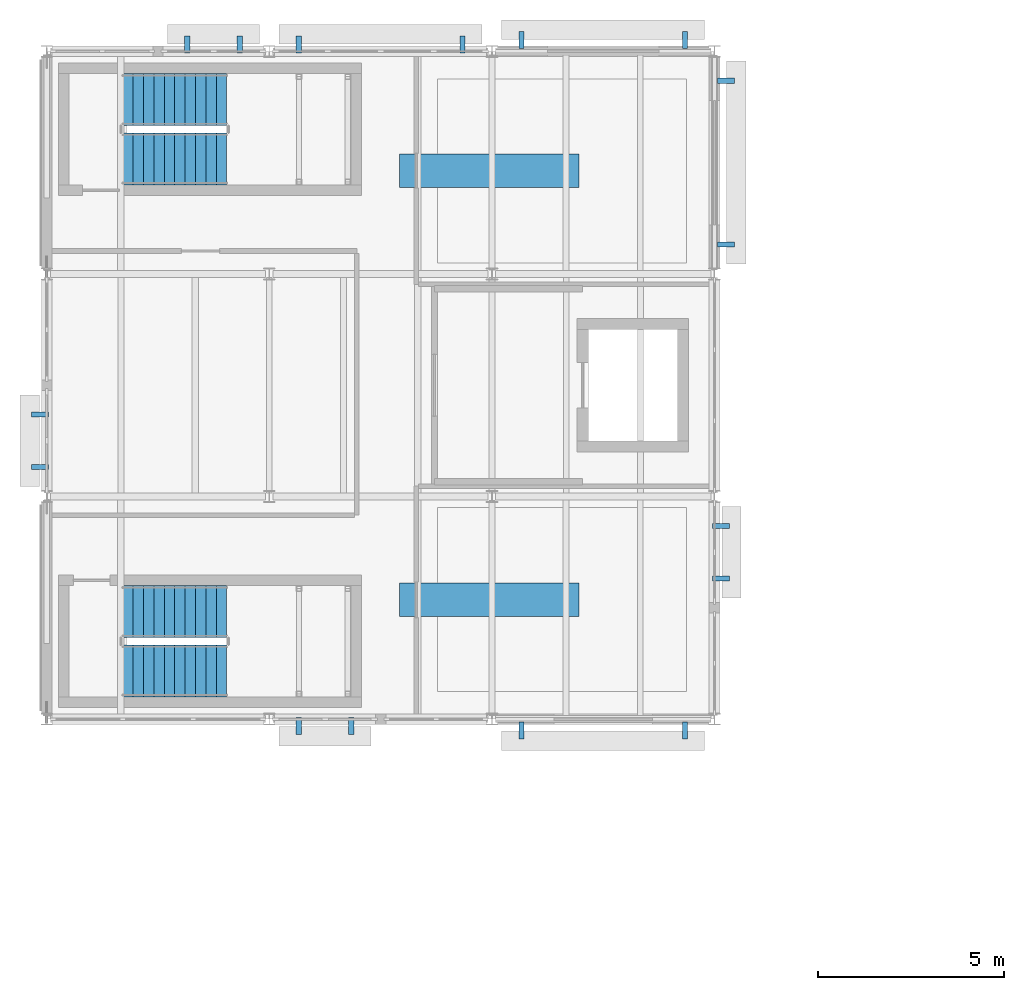
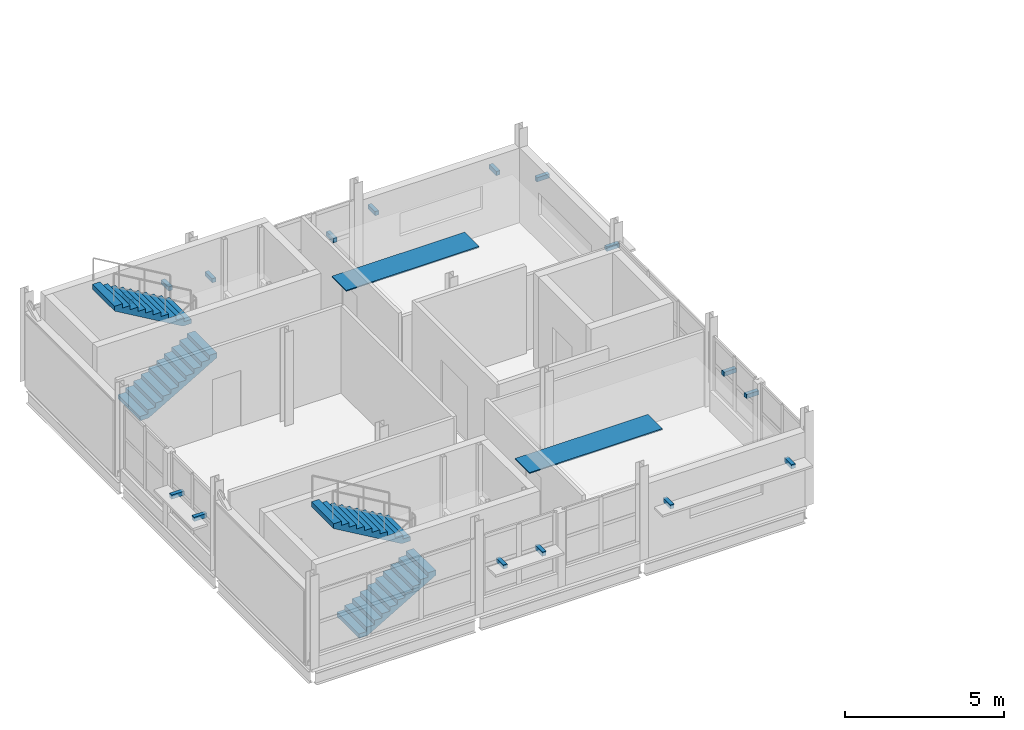
# One storey, part 18 of 20: 18 discrete accessories, 4 stair flights, 2 elements without a shape of their own.
"""IFC4 building model written with IfcOpenShell, lengths in metres."""

from ifc_helpers import new_model, si_unit, direction, frame, origin, origin_2d, place, context, subcontext, project, spatial, polyline, rectangle, outline, extrude, material, type_object, element, aggregate, save


model = new_model("IFC4")

# Units and contexts
model_context = context("Model", 3, precision=1e-05, world=origin(), true_north=direction((0.0, 1.0)))
body_context = subcontext(model_context, "Body", "Model", "MODEL_VIEW")
ifc_project = project(units=[si_unit("LENGTHUNIT", "METRE"), si_unit("AREAUNIT", "SQUARE_METRE"), si_unit("VOLUMEUNIT", "CUBIC_METRE"), si_unit("PLANEANGLEUNIT", "RADIAN"), si_unit("MASSUNIT", "GRAM", prefix="KILO")], contexts=[model_context])

# Site, building, storey
site_placement = place(None, origin())
site = spatial("IfcSite", under=ifc_project, at=site_placement, CompositionType="ELEMENT")
building_placement = place(site_placement, origin())
building = spatial("IfcBuilding", under=site, at=building_placement, Name="Siltcreek Boulevard Central Fire Station", CompositionType="ELEMENT")
storey_placement = place(building_placement, frame((0.0, 0.0, 18.0)))
storey = spatial("IfcBuildingStorey", under=building, at=storey_placement, Name="L05", CompositionType="ELEMENT", Elevation=18.0)

# Stair, stair flights
ifc_material_1 = material(Name="Precast concrete C40/50", Category="concrete")
stair_type = type_object("IfcStairType", Name="ST_DOG_H36", PredefinedType="HALF_TURN_STAIR", material=ifc_material_1)
stair_1_placement = place(storey_placement, origin())
stair_1 = element("IfcStair", 1, at=stair_1_placement, inside=storey, type_object=stair_type, Name="L05 Enclosed exit stairway ST-V3A", PredefinedType="HALF_TURN_STAIR")
stair_flight_type = type_object("IfcStairFlightType", Name="SF_DOG_H36", PredefinedType="STRAIGHT", material=ifc_material_1)
stair_flight_1_placement = place(storey_placement, frame((44.050048828125, 95.5, 0.0), z_axis=(0.0, 0.0, 1.0), x_axis=(1.0, 0.0, 0.0)))
stair_flight_1 = element("IfcStairFlight", 2, at=stair_flight_1_placement, type_object=stair_flight_type, Name="ST-V3A flight 1", NumberOfRisers=11, NumberOfTreads=10, PredefinedType="STRAIGHT", RiserHeight=0.163636364, TreadLength=0.28, context=body_context, shape_type="SweptSolid", body=[
    extrude(outline(polyline([(0.0, 0.0), (0.0, 0.16357421875), (0.280029296875, 0.16357421875), (0.280029296875, 0.327392578125), (0.56005859375, 0.327392578125), (0.56005859375, 0.490966796875), (0.840087890625, 0.490966796875), (0.840087890625, 0.654541015625), (1.1201171875, 0.654541015625), (1.1201171875, 0.818115234375), (1.39990234375, 0.818115234375), (1.39990234375, 0.98193359375), (1.679931640625, 0.98193359375), (1.679931640625, 1.1455078125), (1.9599609375, 1.1455078125), (1.9599609375, 1.30908203125), (2.239990234375, 1.30908203125), (2.239990234375, 1.47265625), (2.52001953125, 1.47265625), (2.52001953125, 1.636474609375), (2.800048828125, 1.636474609375), (2.800048828125, 1.800048828125), (2.800048828125, 1.451171875), (0.31689453125, 0.0), (0.0, 0.0)])), frame((0.0, 0.699951171875, 0.0), z_axis=(0.0, -1.0, 0.0), x_axis=(1.0, 0.0, 0.0)), (0.0, 0.0, 1.0), 1.39990234375),
])
stair_flight_2_placement = place(storey_placement, frame((46.85009765625, 97.10009765625, 1.800048828125), z_axis=(0.0, 0.0, 1.0), x_axis=(-1.0, 0.0, 0.0)))
stair_flight_2 = element("IfcStairFlight", 3, at=stair_flight_2_placement, type_object=stair_flight_type, Name="ST-V3A flight 2", NumberOfRisers=11, NumberOfTreads=10, PredefinedType="STRAIGHT", RiserHeight=0.163636364, TreadLength=0.28, context=body_context, shape_type="SweptSolid", body=[
    extrude(outline(polyline([(0.0, 0.0), (0.0, 0.16357421875), (0.280029296875, 0.16357421875), (0.280029296875, 0.327392578125), (0.56005859375, 0.327392578125), (0.56005859375, 0.490966796875), (0.840087890625, 0.490966796875), (0.840087890625, 0.654541015625), (1.1201171875, 0.654541015625), (1.1201171875, 0.818115234375), (1.39990234375, 0.818115234375), (1.39990234375, 0.98193359375), (1.679931640625, 0.98193359375), (1.679931640625, 1.1455078125), (1.9599609375, 1.1455078125), (1.9599609375, 1.30908203125), (2.239990234375, 1.30908203125), (2.239990234375, 1.47265625), (2.52001953125, 1.47265625), (2.52001953125, 1.636474609375), (2.800048828125, 1.636474609375), (2.800048828125, 1.800048828125), (2.800048828125, 1.451171875), (0.31689453125, 0.0), (0.0, 0.0)])), frame((0.0, 0.699951171875, 0.0), z_axis=(0.0, -1.0, 0.0), x_axis=(1.0, 0.0, 0.0)), (0.0, 0.0, 1.0), 1.39990234375),
])
aggregate(stair_1, [stair_flight_1, stair_flight_2])

stair_2_placement = place(storey_placement, origin())
stair_2 = element("IfcStair", 4, at=stair_2_placement, inside=storey, type_object=stair_type, Name="L05 Enclosed exit stairway ST-V3B", PredefinedType="HALF_TURN_STAIR")
stair_flight_3_placement = place(storey_placement, frame((44.050048828125, 109.300048828125, 0.0), z_axis=(0.0, 0.0, 1.0), x_axis=(1.0, 0.0, 0.0)))
stair_flight_3 = element("IfcStairFlight", 5, at=stair_flight_3_placement, type_object=stair_flight_type, Name="ST-V3B flight 1", NumberOfRisers=11, NumberOfTreads=10, PredefinedType="STRAIGHT", RiserHeight=0.163636364, TreadLength=0.28, context=body_context, shape_type="SweptSolid", body=[
    extrude(outline(polyline([(0.0, 0.0), (0.0, 0.16357421875), (0.280029296875, 0.16357421875), (0.280029296875, 0.327392578125), (0.56005859375, 0.327392578125), (0.56005859375, 0.490966796875), (0.840087890625, 0.490966796875), (0.840087890625, 0.654541015625), (1.1201171875, 0.654541015625), (1.1201171875, 0.818115234375), (1.39990234375, 0.818115234375), (1.39990234375, 0.98193359375), (1.679931640625, 0.98193359375), (1.679931640625, 1.1455078125), (1.9599609375, 1.1455078125), (1.9599609375, 1.30908203125), (2.239990234375, 1.30908203125), (2.239990234375, 1.47265625), (2.52001953125, 1.47265625), (2.52001953125, 1.636474609375), (2.800048828125, 1.636474609375), (2.800048828125, 1.800048828125), (2.800048828125, 1.451171875), (0.31689453125, 0.0), (0.0, 0.0)])), frame((0.0, 0.699951171875, 0.0), z_axis=(0.0, -1.0, 0.0), x_axis=(1.0, 0.0, 0.0)), (0.0, 0.0, 1.0), 1.39990234375),
])
stair_flight_4_placement = place(storey_placement, frame((46.85009765625, 110.89990234375, 1.800048828125), z_axis=(0.0, 0.0, 1.0), x_axis=(-1.0, 0.0, 0.0)))
stair_flight_4 = element("IfcStairFlight", 6, at=stair_flight_4_placement, type_object=stair_flight_type, Name="ST-V3B flight 2", NumberOfRisers=11, NumberOfTreads=10, PredefinedType="STRAIGHT", RiserHeight=0.163636364, TreadLength=0.28, context=body_context, shape_type="SweptSolid", body=[
    extrude(outline(polyline([(0.0, 0.0), (0.0, 0.16357421875), (0.280029296875, 0.16357421875), (0.280029296875, 0.327392578125), (0.56005859375, 0.327392578125), (0.56005859375, 0.490966796875), (0.840087890625, 0.490966796875), (0.840087890625, 0.654541015625), (1.1201171875, 0.654541015625), (1.1201171875, 0.818115234375), (1.39990234375, 0.818115234375), (1.39990234375, 0.98193359375), (1.679931640625, 0.98193359375), (1.679931640625, 1.1455078125), (1.9599609375, 1.1455078125), (1.9599609375, 1.30908203125), (2.239990234375, 1.30908203125), (2.239990234375, 1.47265625), (2.52001953125, 1.47265625), (2.52001953125, 1.636474609375), (2.800048828125, 1.636474609375), (2.800048828125, 1.800048828125), (2.800048828125, 1.451171875), (0.31689453125, 0.0), (0.0, 0.0)])), frame((0.0, 0.699951171875, 0.0), z_axis=(0.0, -1.0, 0.0), x_axis=(1.0, 0.0, 0.0)), (0.0, 0.0, 1.0), 1.39990234375),
])
aggregate(stair_2, [stair_flight_3, stair_flight_4])

# Discrete accessories
ifc_material_2 = material(Name="Hot-dip galvanized steel facade outrigger bracket", Category="steel")
discrete_accessory_type = type_object("IfcDiscreteAccessoryType", Name="ACC_BRACKET", PredefinedType="BRACKET", material=ifc_material_2)
for number, where, z_axis, x_axis, name in (
    (7, (48.794921875, 94.02001953125, 1.634765625), (0.0, 0.0, 1.0), (1.0, 0.0, 0.0), "Galvanized sunshade support bracket BK-097"),
    (8, (50.2099609375, 94.02001953125, 1.634765625), (0.0, 0.0, 1.0), (1.0, 0.0, 0.0), "Galvanized sunshade support bracket BK-098"),
    (9, (54.794921875, 93.89501953125, 1.919921875), (0.0, 0.0, 1.0), (1.0, 0.0, 0.0), "Galvanized sunshade support bracket BK-099"),
    (10, (59.205078125, 93.89501953125, 1.919921875), (0.0, 0.0, 1.0), (1.0, 0.0, 0.0), "Galvanized sunshade support bracket BK-100"),
    (11, (47.205078125, 112.3798828125, 1.75439453125), (0.0, 0.0, 1.0), (-1.0, 0.0, 0.0), "Galvanized sunshade support bracket BK-101"),
    (12, (45.7900390625, 112.3798828125, 1.75439453125), (0.0, 0.0, 1.0), (-1.0, 0.0, 0.0), "Galvanized sunshade support bracket BK-102"),
    (13, (53.205078125, 112.3798828125, 1.5146484375), (0.0, 0.0, 1.0), (-1.0, 0.0, 0.0), "Galvanized sunshade support bracket BK-103"),
    (14, (48.794921875, 112.3798828125, 1.5146484375), (0.0, 0.0, 1.0), (-1.0, 0.0, 0.0), "Galvanized sunshade support bracket BK-104"),
    (15, (59.205078125, 112.5048828125, 1.919921875), (0.0, 0.0, 1.0), (-1.0, 0.0, 0.0), "Galvanized sunshade support bracket BK-105"),
    (16, (54.794921875, 112.5048828125, 1.919921875), (0.0, 0.0, 1.0), (-1.0, 0.0, 0.0), "Galvanized sunshade support bracket BK-106"),
    (17, (41.820068359375, 102.409912109375, 1.63671875), (0.0, 0.0, 1.0), (0.0, -1.0, 0.0), "Galvanized sunshade support bracket BK-107"),
    (18, (41.820068359375, 100.9951171875, 1.63671875), (0.0, 0.0, 1.0), (0.0, -1.0, 0.0), "Galvanized sunshade support bracket BK-108"),
    (19, (60.179931640625, 97.989990234375, 1.75634765625), (0.0, 0.0, 1.0), (0.0, 1.0, 0.0), "Galvanized sunshade support bracket BK-109"),
    (20, (60.179931640625, 99.405029296875, 1.75634765625), (0.0, 0.0, 1.0), (0.0, 1.0, 0.0), "Galvanized sunshade support bracket BK-110"),
    (21, (60.304931640625, 106.9951171875, 1.919921875), (0.0, 0.0, 1.0), (0.0, 1.0, 0.0), "Galvanized sunshade support bracket BK-111"),
    (22, (60.304931640625, 111.405029296875, 1.919921875), (0.0, 0.0, 1.0), (0.0, 1.0, 0.0), "Galvanized sunshade support bracket BK-112"),
):
    element("IfcDiscreteAccessory", number, at=place(storey_placement, frame(where, z_axis=z_axis, x_axis=x_axis)), inside=storey, type_object=discrete_accessory_type, Name=name, PredefinedType="BRACKET", context=body_context, shape_type="SweptSolid", body=[
        extrude(rectangle(XDim=0.139892578125, YDim=0.4599609375, at=origin_2d()), origin(), (0.0, 0.0, 1.0), 0.159912109375),
    ])
for number, where, z_axis, x_axis, name in (
    (23, (53.927490234375, 97.41943359375, 2.411865234375), (0.0, 0.0, 1.0), (1.0, 0.0, 0.0), "L05 acoustic ceiling wall ledger bracket 038"),
    (24, (53.927490234375, 108.980712890625, 2.411865234375), (0.0, 0.0, 1.0), (1.0, 0.0, 0.0), "L05 acoustic ceiling wall ledger bracket 039"),
):
    element("IfcDiscreteAccessory", number, at=place(storey_placement, frame(where, z_axis=z_axis, x_axis=x_axis)), inside=storey, type_object=discrete_accessory_type, Name=name, PredefinedType="BRACKET", context=body_context, shape_type="SweptSolid", body=[
        extrude(rectangle(XDim=4.8349609375, YDim=0.911376953125, at=origin_2d()), origin(), (0.0, 0.0, 1.0), 0.0400390625),
    ])

save(model, "model.ifc")
